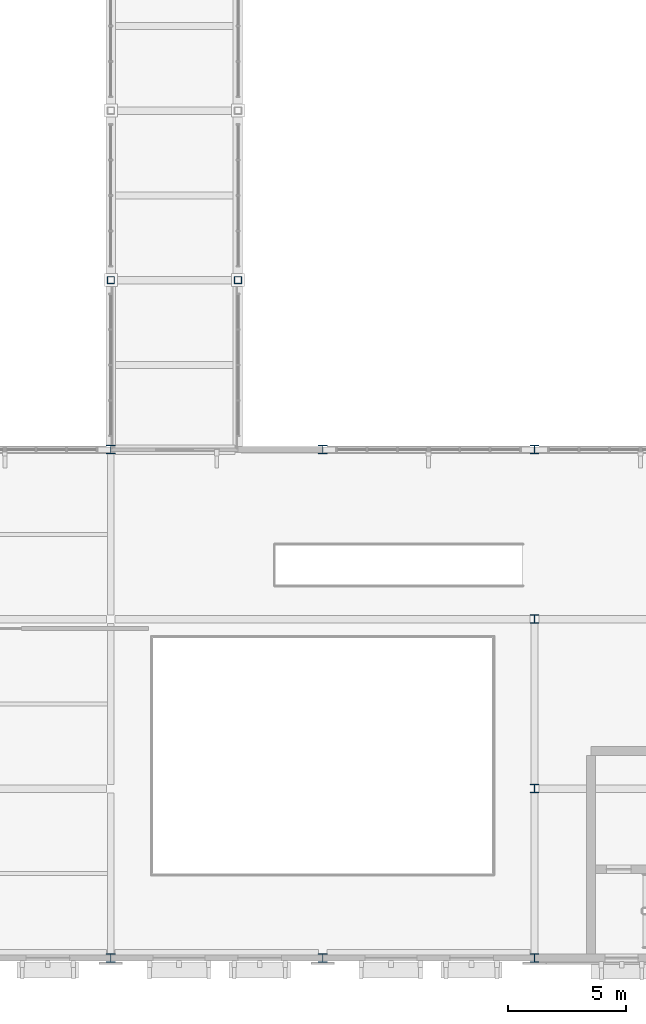
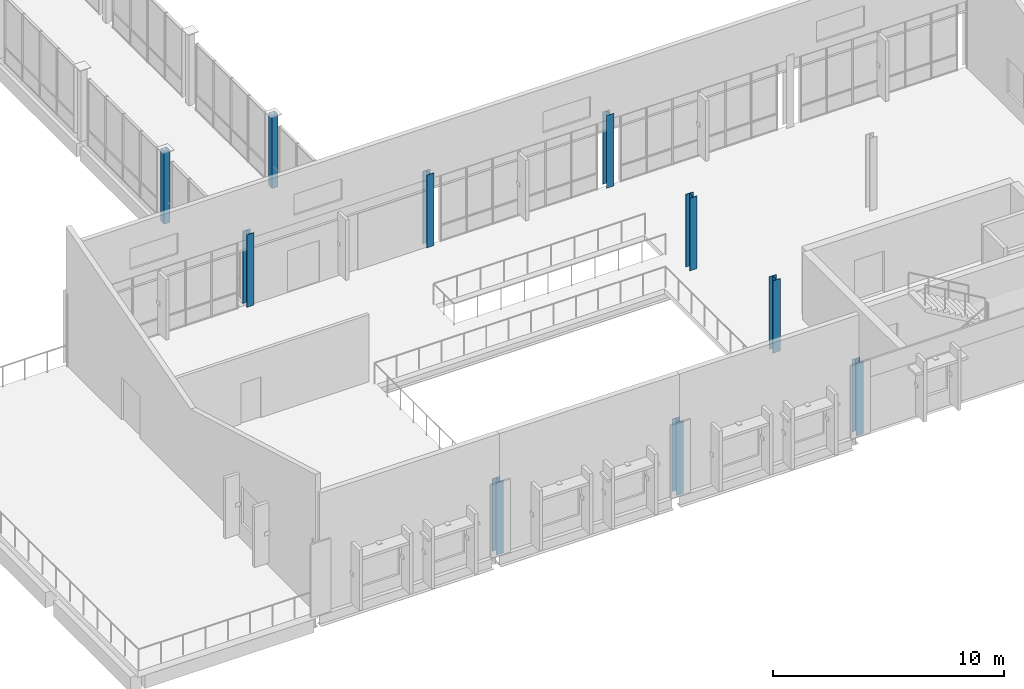
# One storey, part 5 of 85: 10 columns.
"""IFC4 building model written with IfcOpenShell, lengths in metres."""

import ifcopenshell
import ifcopenshell.guid

model = None  # the IFC model being written
_history = None  # IfcOwnerHistory: only IFC2X3 demands one
_inside = {}  # id of a spatial element -> (the spatial element, [elements in it])
_under = {}  # id of a project, library or spatial element -> (it, [spatial elements below it])
_declared = {}  # id of a project -> (the project, [libraries it declares])
_typed = {}  # id of a type object -> (the type object, [elements of that type])
_made_of = {}  # id of a material, layer set ... -> (it, [elements and type objects made of it])


def new_model(schema):
    """Start an empty IFC model of exactly this schema.

    Asked for "IFC4X3", IfcOpenShell would pick the latest addendum, in which some entities
    have other attributes; the version numbers below select the first issue.
    IFC2X3 requires an IfcOwnerHistory on every rooted entity: one is made here for all.
    """
    global model, _history
    if schema == "IFC4X3":
        model = ifcopenshell.file(schema_version=(4, 3, 0, 0))
    else:
        model = ifcopenshell.file(schema=schema)
    _inside.clear()
    _under.clear()
    _declared.clear()
    _typed.clear()
    _made_of.clear()
    _history = None
    if model.schema == "IFC2X3":
        org = make("IfcOrganization", Name="unknown")
        user = make(
            "IfcPersonAndOrganization",
            ThePerson=make("IfcPerson", FamilyName="unknown"),
            TheOrganization=org,
        )
        app = make(
            "IfcApplication",
            ApplicationDeveloper=org,
            Version="unknown",
            ApplicationFullName="unknown",
            ApplicationIdentifier="unknown",
        )
        _history = make(
            "IfcOwnerHistory",
            OwningUser=user,
            OwningApplication=app,
            ChangeAction="ADDED",
            CreationDate=0,
        )
    return model


def make(cls, **values):
    """One entity of the class cls with the attributes given. An attribute that is None is left unset."""
    return model.create_entity(
        cls, **{name: value for name, value in values.items() if value is not None}
    )


def rooted(cls, **values):
    """An entity with a GlobalId (a new one), such as an element, a storey or a relation."""
    return make(cls, GlobalId=ifcopenshell.guid.new(), OwnerHistory=_history, **values)


def si_unit(unit_type, name, prefix=None):
    """IfcSIUnit, for example si_unit("LENGTHUNIT", "METRE", prefix="MILLI")."""
    return make("IfcSIUnit", UnitType=unit_type, Prefix=prefix, Name=name)


def assignment(units):
    """IfcUnitAssignment: the units of a project."""
    return None if units is None else make("IfcUnitAssignment", Units=units)


def point(xyz):
    """IfcCartesianPoint."""
    return None if xyz is None else make("IfcCartesianPoint", Coordinates=xyz)


def direction(xyz):
    """IfcDirection."""
    return None if xyz is None else make("IfcDirection", DirectionRatios=xyz)


def frame(location, z_axis=None, x_axis=None):
    """IfcAxis2Placement3D, a coordinate frame: its origin and axes. An axis left out is left unset."""
    return make(
        "IfcAxis2Placement3D",
        Location=point(location),
        Axis=direction(z_axis),
        RefDirection=direction(x_axis),
    )


def frame_2d(location, x_axis=None):
    """IfcAxis2Placement2D, a coordinate frame in the plane: its origin and x axis."""
    return make(
        "IfcAxis2Placement2D", Location=point(location), RefDirection=direction(x_axis)
    )


def origin():
    """The frame at (0, 0, 0) with its axes left unset."""
    return frame((0.0, 0.0, 0.0))


def origin_2d():
    """The frame at (0, 0) in the plane with its x axis left unset."""
    return frame_2d((0.0, 0.0))


def place(relative_to, where):
    """IfcLocalPlacement: puts the frame where relative to a parent placement (None: the world)."""
    return make(
        "IfcLocalPlacement", PlacementRelTo=relative_to, RelativePlacement=where
    )


def context(
    kind, dimensions, precision=None, world=None, true_north=None, identifier=None
):
    """IfcGeometricRepresentationContext, for example the 3D "Model" context."""
    return make(
        "IfcGeometricRepresentationContext",
        ContextIdentifier=identifier,
        ContextType=kind,
        CoordinateSpaceDimension=dimensions,
        Precision=precision,
        WorldCoordinateSystem=world,
        TrueNorth=true_north,
    )


def subcontext(parent, identifier, kind, view, scale=None):
    """IfcGeometricRepresentationSubContext, for example "Body" below "Model"."""
    return make(
        "IfcGeometricRepresentationSubContext",
        ContextIdentifier=identifier,
        ContextType=kind,
        ParentContext=parent,
        TargetScale=scale,
        TargetView=view,
    )


def project(units=None, contexts=None):
    """IfcProject with its units and contexts."""
    return rooted(
        "IfcProject",
        Name="project",
        RepresentationContexts=contexts,
        UnitsInContext=assignment(units),
    )


def spatial(cls, under=None, at=None, **own):
    """A site, building, storey or space (cls), placed at a placement, below another one or the project."""
    s = rooted(cls, ObjectPlacement=at, **own)
    if under is not None:
        _under.setdefault(under.id(), (under, []))[1].append(s)
    return s


def profile(cls, at=None, kind="AREA", **sizes):
    """A parametric profile (cls). Its sizes go by their IFC names, for example OverallWidth=200.0."""
    return make(cls, ProfileType=kind, Position=at, **sizes)


def hollow_rectangle(**sizes):
    """IfcRectangleHollowProfileDef."""
    return profile("IfcRectangleHollowProfileDef", **sizes)


def i_section(**sizes):
    """IfcIShapeProfileDef."""
    return profile("IfcIShapeProfileDef", **sizes)


def extrude(swept, where, along, depth):
    """IfcExtrudedAreaSolid: the profile swept, set in the frame where, extruded along a direction by depth."""
    return make(
        "IfcExtrudedAreaSolid",
        SweptArea=swept,
        Position=where,
        ExtrudedDirection=direction(along),
        Depth=depth,
    )


def shape(context_of_items, identifier, shape_type, items):
    """IfcShapeRepresentation: the items that make up one representation, for example the "Body"."""
    return make(
        "IfcShapeRepresentation",
        ContextOfItems=context_of_items,
        RepresentationIdentifier=identifier,
        RepresentationType=shape_type,
        Items=items,
    )


def material(Name=None, Category=None):
    """IfcMaterial."""
    return make("IfcMaterial", Name=Name, Category=Category)


def material_profile(
    of_material, cross_section, Name=None, Category=None, Priority=None
):
    """IfcMaterialProfile: a cross section and its material."""
    return make(
        "IfcMaterialProfile",
        Name=Name,
        Material=of_material,
        Profile=cross_section,
        Priority=Priority,
        Category=Category,
    )


def profile_set(profiles, Name=None, composite=None):
    """IfcMaterialProfileSet."""
    return make(
        "IfcMaterialProfileSet",
        Name=Name,
        MaterialProfiles=profiles,
        CompositeProfile=composite,
    )


def made_of(thing, what):
    """Note that an element or type object is made of a material, layer set ...; save() writes the relation."""
    if what is not None:
        _made_of.setdefault(what.id(), (what, []))[1].append(thing)
    return thing


def type_object(cls, material=None, **own):
    """A type object (cls), such as IfcWallType, which elements share."""
    return made_of(rooted(cls, **own), material)


def element(
    cls,
    number,
    at=None,
    inside=None,
    cuts=None,
    type_object=None,
    material=None,
    context=None,
    identifier="Body",
    shape_type=None,
    held_by="IfcProductDefinitionShape",
    body=None,
    shapes=None,
    **own,
):
    """One element of the class cls, such as IfcWall. Its Tag is "e" and its number.

    at: its placement. inside: the storey or other place that contains it. cuts: it is an
    opening in that element (IfcRelVoidsElement). A single representation is given by context,
    identifier, shape_type and body (its items); several are given by shapes. held_by: the class
    of the entity that holds the representations. save() writes the other relations.
    """
    e = rooted(cls, Tag="e%d" % number, ObjectPlacement=at, **own)
    if body is not None:
        shapes = [shape(context, identifier, shape_type, body)]
    if shapes is not None:
        e.Representation = make(held_by, Representations=shapes)
    if inside is not None:
        _inside.setdefault(inside.id(), (inside, []))[1].append(e)
    if cuts is not None:
        rooted(
            "IfcRelVoidsElement", RelatingBuildingElement=cuts, RelatedOpeningElement=e
        )
    if type_object is not None:
        _typed.setdefault(type_object.id(), (type_object, []))[1].append(e)
    return made_of(e, material)


def aggregate(whole, parts):
    """IfcRelAggregates: a whole, such as a stair, and the parts it consists of."""
    return rooted("IfcRelAggregates", RelatingObject=whole, RelatedObjects=parts)


def save(model, path):
    """Write the relations noted so far, then the file.

    IfcRelAggregates (storeys below a building ...), IfcRelContainedInSpatialStructure (elements
    in a storey), IfcRelDefinesByType, IfcRelAssociatesMaterial and IfcRelDeclares: one each for
    every whole, place, type object, material and project.
    """
    for whole, parts in _under.values():
        aggregate(whole, parts)
    for where, things in _inside.values():
        rooted(
            "IfcRelContainedInSpatialStructure",
            RelatedElements=things,
            RelatingStructure=where,
        )
    for kind, things in _typed.values():
        rooted("IfcRelDefinesByType", RelatedObjects=things, RelatingType=kind)
    for what, things in _made_of.values():
        rooted("IfcRelAssociatesMaterial", RelatedObjects=things, RelatingMaterial=what)
    for by, libraries in _declared.values():
        rooted("IfcRelDeclares", RelatingContext=by, RelatedDefinitions=libraries)
    model.write(path)


model = new_model("IFC4")

# Units and contexts
model_context = context("Model", 3, precision=1e-05, world=origin(), true_north=direction((0.0, 1.0)))
body_context = subcontext(model_context, "Body", "Model", "MODEL_VIEW")
ifc_project = project(units=[si_unit("LENGTHUNIT", "METRE"), si_unit("AREAUNIT", "SQUARE_METRE"), si_unit("VOLUMEUNIT", "CUBIC_METRE"), si_unit("PLANEANGLEUNIT", "RADIAN"), si_unit("MASSUNIT", "GRAM", prefix="KILO")], contexts=[model_context])

# Site, building, storey
site_placement = place(None, origin())
site = spatial("IfcSite", under=ifc_project, at=site_placement, CompositionType="ELEMENT")
building_placement = place(site_placement, origin())
building = spatial("IfcBuilding", under=site, at=building_placement, Name="Vervanel Yard Central Library", CompositionType="ELEMENT")
storey_placement = place(building_placement, frame((0.0, 0.0, 5.10009765625)))
storey = spatial("IfcBuildingStorey", under=building, at=storey_placement, Name="L01", CompositionType="ELEMENT", Elevation=5.10009765625)

# Columns
ifc_material_1 = material(Name="Steel ASTM A500 Grade C", Category="steel")
ifc_material_profile_1 = material_profile(ifc_material_1, hollow_rectangle(XDim=0.3046875, YDim=0.3046875, WallThickness=0.0146484375, at=origin_2d()), Name="HSS12X12X5/8", Category="steel")
ifc_profile_set_1 = profile_set([ifc_material_profile_1], Name="Steel ASTM A500 Grade C")
column_type_1 = type_object("IfcColumnType", Name="Bridge Pier Column HSS12X12X5/8", PredefinedType="COLUMN", material=ifc_profile_set_1)
for number, where, z_axis, x_axis, name in (
    (1, (72.0, 28.800048828125, 0.0), (0.0, 0.0, 1.0), (1.0, 0.0, 0.0), "L01 Bridge Pier Column HSS12X12X5/8 (72.0, 28.8)"),
    (2, (77.39990234375, 28.800048828125, 0.0), (0.0, 0.0, 1.0), (1.0, 0.0, 0.0), "L01 Bridge Pier Column HSS12X12X5/8 (77.4, 28.8)"),
):
    element("IfcColumn", number, at=place(storey_placement, frame(where, z_axis=z_axis, x_axis=x_axis)), inside=storey, type_object=column_type_1, Name=name, PredefinedType="COLUMN", context=body_context, shape_type="SweptSolid", body=[
        extrude(hollow_rectangle(XDim=0.3046875, YDim=0.3046875, WallThickness=0.0146484375, at=origin_2d()), origin(), (0.0, 0.0, 1.0), 3.83984375),
    ])
ifc_material_2 = material(Name="Steel ASTM A992 Grade 50", Category="steel")
ifc_material_profile_2 = material_profile(ifc_material_2, i_section(OverallWidth=0.368408203125, OverallDepth=0.355712890625, WebThickness=0.01123046875, FlangeThickness=0.01806640625, at=origin_2d()), Name="W14X90", Category="steel")
ifc_profile_set_2 = profile_set([ifc_material_profile_2], Name="Steel ASTM A992 Grade 50")
column_type_2 = type_object("IfcColumnType", Name="Steel Column W14X90", PredefinedType="COLUMN", material=ifc_profile_set_2)
for number, where, z_axis, x_axis, name in (
    (3, (72.0, 0.0, 0.0), (0.0, 0.0, 1.0), (1.0, 0.0, 0.0), "L01 Steel Column W14X90 (72.0, 0.0)"),
    (4, (72.0, 21.60009765625, 0.0), (0.0, 0.0, 1.0), (1.0, 0.0, 0.0), "L01 Steel Column W14X90 (72.0, 21.6)"),
    (5, (81.0, 0.0, 0.0), (0.0, 0.0, 1.0), (1.0, 0.0, 0.0), "L01 Steel Column W14X90 (81.0, 0.0)"),
    (6, (81.0, 21.60009765625, 0.0), (0.0, 0.0, 1.0), (1.0, 0.0, 0.0), "L01 Steel Column W14X90 (81.0, 21.6)"),
    (7, (90.0, 0.0, 0.0), (0.0, 0.0, 1.0), (1.0, 0.0, 0.0), "L01 Steel Column W14X90 (90.0, 0.0)"),
    (8, (90.0, 7.199951171875, 0.0), (0.0, 0.0, 1.0), (1.0, 0.0, 0.0), "L01 Steel Column W14X90 (90.0, 7.2)"),
    (9, (90.0, 14.39990234375, 0.0), (0.0, 0.0, 1.0), (1.0, 0.0, 0.0), "L01 Steel Column W14X90 (90.0, 14.4)"),
    (10, (90.0, 21.60009765625, 0.0), (0.0, 0.0, 1.0), (1.0, 0.0, 0.0), "L01 Steel Column W14X90 (90.0, 21.6)"),
):
    element("IfcColumn", number, at=place(storey_placement, frame(where, z_axis=z_axis, x_axis=x_axis)), inside=storey, type_object=column_type_2, Name=name, PredefinedType="COLUMN", context=body_context, shape_type="SweptSolid", body=[
        extrude(i_section(OverallWidth=0.368408203125, OverallDepth=0.355712890625, WebThickness=0.01123046875, FlangeThickness=0.01806640625, at=origin_2d()), origin(), (0.0, 0.0, 1.0), 3.83984375),
    ])

save(model, "model.ifc")
